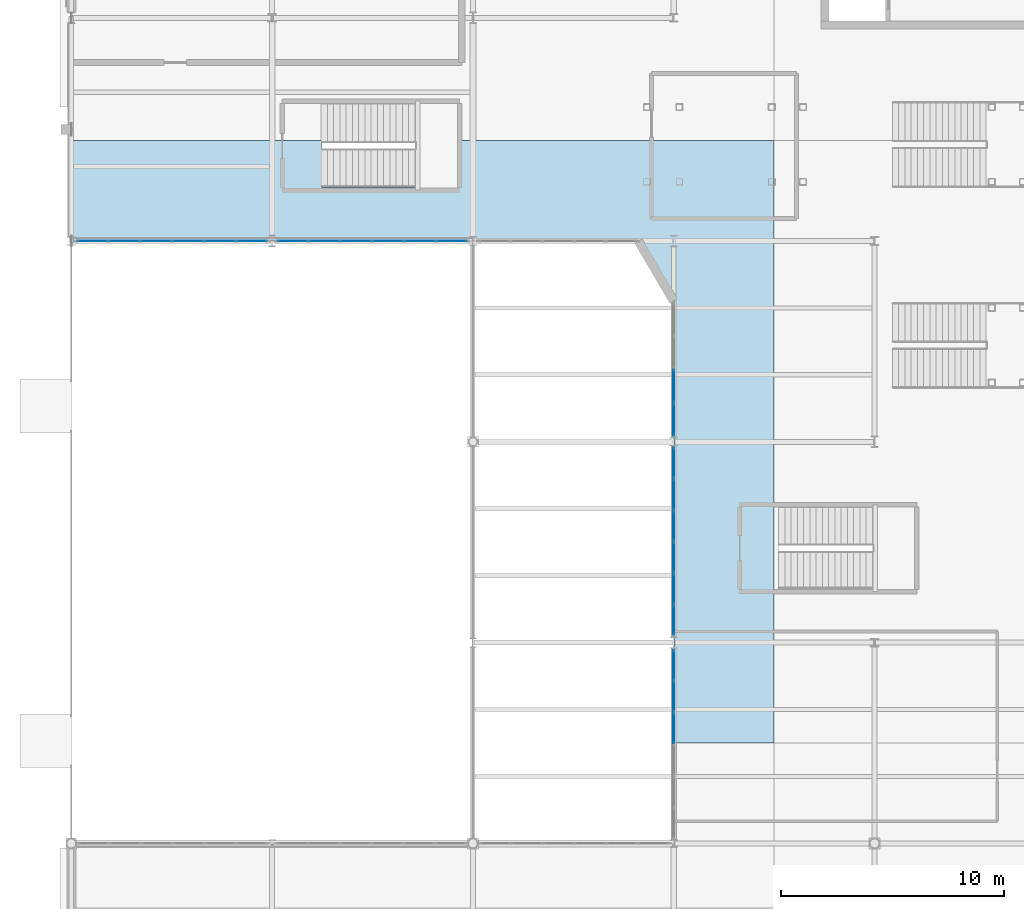
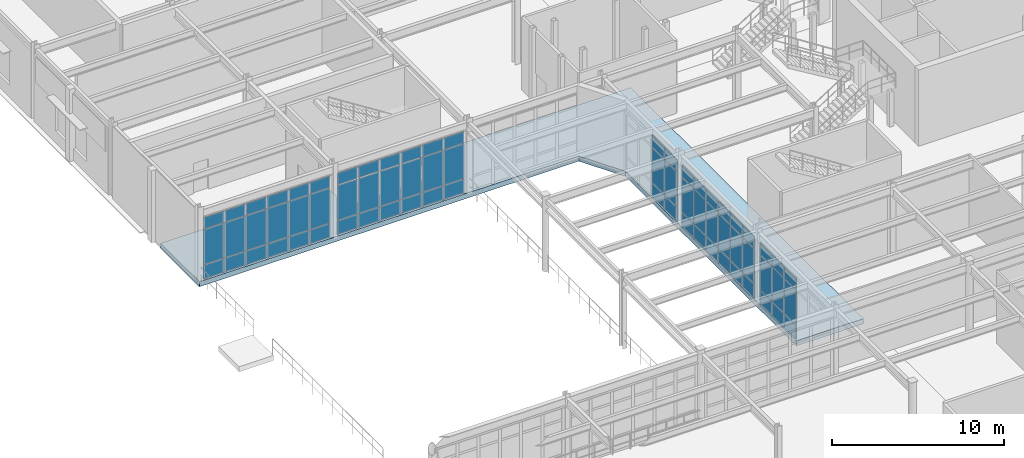
# One storey, part 41 of 79: 69 plates, 1 slab, 5 elements without a shape of their own.
"""IFC4 building model written with IfcOpenShell, lengths in metres."""

from ifc_helpers import new_model, si_unit, direction, frame, origin, origin_2d, place, context, subcontext, project, spatial, polyline, rectangle, outline, extrude, material, layer, layer_set, type_object, element, aggregate, save


model = new_model("IFC4")

# Units and contexts
model_context = context("Model", 3, precision=1e-05, world=origin(), true_north=direction((0.0, 1.0)))
body_context = subcontext(model_context, "Body", "Model", "MODEL_VIEW")
ifc_project = project(units=[si_unit("LENGTHUNIT", "METRE"), si_unit("AREAUNIT", "SQUARE_METRE"), si_unit("VOLUMEUNIT", "CUBIC_METRE"), si_unit("PLANEANGLEUNIT", "RADIAN"), si_unit("MASSUNIT", "GRAM", prefix="KILO")], contexts=[model_context])

# Site, building, storey
site_placement = place(None, origin())
site = spatial("IfcSite", under=ifc_project, at=site_placement, CompositionType="ELEMENT")
building_placement = place(site_placement, origin())
building = spatial("IfcBuilding", under=site, at=building_placement, Name="Glasvene Arena", CompositionType="ELEMENT")
storey_placement = place(building_placement, origin())
storey = spatial("IfcBuildingStorey", under=building, at=storey_placement, Name="L00", CompositionType="ELEMENT", Elevation=0.0)

# Curtain wall, plates
ifc_material_1 = material(Name="Low-emissivity laminated double glazing", Category="glass")
curtain_wall_type_1 = type_object("IfcCurtainWallType", Name="CW-FAC-L00-858x445", PredefinedType="USERDEFINED", material=ifc_material_1)
curtain_wall_1_placement = place(storey_placement, frame((17.771728515625, 54.0, 0.0)))
curtain_wall_1 = element("IfcCurtainWall", 1, at=curtain_wall_1_placement, inside=storey, type_object=curtain_wall_type_1, Name="Unitised curtain wall CW-F-L00-180-135-540-2", ObjectType="CURTAIN WALL", PredefinedType="USERDEFINED")
ifc_layer_1 = layer(ifc_material_1, 0.028076171875)
ifc_layer_set_1 = layer_set([ifc_layer_1], Name="Low-emissivity laminated double glazing")
plate_type = type_object("IfcPlateType", Name="CW-GLZ-28", PredefinedType="CURTAIN_PANEL", material=ifc_layer_set_1)
plate_1_placement = place(storey_placement, frame((17.044189453125, 54.0, 0.10986328125), z_axis=(0.0, 0.0, 1.0), x_axis=(-1.0, 0.0, 0.0)))
plate_1 = element("IfcPlate", 2, at=plate_1_placement, type_object=plate_type, Name="CW-002 panel 1.1", PredefinedType="CURTAIN_PANEL", context=body_context, shape_type="SweptSolid", body=[
    extrude(rectangle(XDim=1.35498046875, YDim=0.028076171875, at=origin_2d()), origin(), (0.0, 0.0, 1.0), 0.965087890625),
])
plate_2_placement = place(storey_placement, frame((17.044189453125, 54.0, 1.125), z_axis=(0.0, 0.0, 1.0), x_axis=(-1.0, 0.0, 0.0)))
plate_2 = element("IfcPlate", 3, at=plate_2_placement, type_object=plate_type, Name="CW-002 panel 1.2", PredefinedType="CURTAIN_PANEL", context=body_context, shape_type="SweptSolid", body=[
    extrude(rectangle(XDim=1.35498046875, YDim=0.028076171875, at=origin_2d()), origin(), (0.0, 0.0, 1.0), 2.45703125),
])
plate_3_placement = place(storey_placement, frame((17.044189453125, 54.0, 3.6318359375), z_axis=(0.0, 0.0, 1.0), x_axis=(-1.0, 0.0, 0.0)))
plate_3 = element("IfcPlate", 4, at=plate_3_placement, type_object=plate_type, Name="CW-002 panel 1.3", PredefinedType="CURTAIN_PANEL", context=body_context, shape_type="SweptSolid", body=[
    extrude(rectangle(XDim=1.35498046875, YDim=0.028076171875, at=origin_2d()), origin(), (0.0, 0.0, 1.0), 0.824951171875),
])
plate_4_placement = place(storey_placement, frame((15.626708984375, 54.0, 0.10986328125), z_axis=(0.0, 0.0, 1.0), x_axis=(-1.0, 0.0, 0.0)))
plate_4 = element("IfcPlate", 5, at=plate_4_placement, type_object=plate_type, Name="CW-002 panel 2.1", PredefinedType="CURTAIN_PANEL", context=body_context, shape_type="SweptSolid", body=[
    extrude(rectangle(XDim=1.3798828125, YDim=0.028076171875, at=origin_2d()), origin(), (0.0, 0.0, 1.0), 0.965087890625),
])
plate_5_placement = place(storey_placement, frame((15.626708984375, 54.0, 1.125), z_axis=(0.0, 0.0, 1.0), x_axis=(-1.0, 0.0, 0.0)))
plate_5 = element("IfcPlate", 6, at=plate_5_placement, type_object=plate_type, Name="CW-002 panel 2.2", PredefinedType="CURTAIN_PANEL", context=body_context, shape_type="SweptSolid", body=[
    extrude(rectangle(XDim=1.3798828125, YDim=0.028076171875, at=origin_2d()), origin(), (0.0, 0.0, 1.0), 2.45703125),
])
plate_6_placement = place(storey_placement, frame((15.626708984375, 54.0, 3.6318359375), z_axis=(0.0, 0.0, 1.0), x_axis=(-1.0, 0.0, 0.0)))
plate_6 = element("IfcPlate", 7, at=plate_6_placement, type_object=plate_type, Name="CW-002 panel 2.3", PredefinedType="CURTAIN_PANEL", context=body_context, shape_type="SweptSolid", body=[
    extrude(rectangle(XDim=1.3798828125, YDim=0.028076171875, at=origin_2d()), origin(), (0.0, 0.0, 1.0), 0.824951171875),
])
plate_7_placement = place(storey_placement, frame((14.19677734375, 54.0, 0.10986328125), z_axis=(0.0, 0.0, 1.0), x_axis=(-1.0, 0.0, 0.0)))
plate_7 = element("IfcPlate", 8, at=plate_7_placement, type_object=plate_type, Name="CW-002 panel 3.1", PredefinedType="CURTAIN_PANEL", context=body_context, shape_type="SweptSolid", body=[
    extrude(rectangle(XDim=1.3798828125, YDim=0.028076171875, at=origin_2d()), origin(), (0.0, 0.0, 1.0), 0.965087890625),
])
plate_8_placement = place(storey_placement, frame((14.19677734375, 54.0, 1.125), z_axis=(0.0, 0.0, 1.0), x_axis=(-1.0, 0.0, 0.0)))
plate_8 = element("IfcPlate", 9, at=plate_8_placement, type_object=plate_type, Name="CW-002 panel 3.2", PredefinedType="CURTAIN_PANEL", context=body_context, shape_type="SweptSolid", body=[
    extrude(rectangle(XDim=1.3798828125, YDim=0.028076171875, at=origin_2d()), origin(), (0.0, 0.0, 1.0), 2.45703125),
])
plate_9_placement = place(storey_placement, frame((14.19677734375, 54.0, 3.6318359375), z_axis=(0.0, 0.0, 1.0), x_axis=(-1.0, 0.0, 0.0)))
plate_9 = element("IfcPlate", 10, at=plate_9_placement, type_object=plate_type, Name="CW-002 panel 3.3", PredefinedType="CURTAIN_PANEL", context=body_context, shape_type="SweptSolid", body=[
    extrude(rectangle(XDim=1.3798828125, YDim=0.028076171875, at=origin_2d()), origin(), (0.0, 0.0, 1.0), 0.824951171875),
])
plate_10_placement = place(storey_placement, frame((12.766845703125, 54.0, 0.10986328125), z_axis=(0.0, 0.0, 1.0), x_axis=(-1.0, 0.0, 0.0)))
plate_10 = element("IfcPlate", 11, at=plate_10_placement, type_object=plate_type, Name="CW-002 panel 4.1", PredefinedType="CURTAIN_PANEL", context=body_context, shape_type="SweptSolid", body=[
    extrude(rectangle(XDim=1.3798828125, YDim=0.028076171875, at=origin_2d()), origin(), (0.0, 0.0, 1.0), 0.965087890625),
])
plate_11_placement = place(storey_placement, frame((12.766845703125, 54.0, 1.125), z_axis=(0.0, 0.0, 1.0), x_axis=(-1.0, 0.0, 0.0)))
plate_11 = element("IfcPlate", 12, at=plate_11_placement, type_object=plate_type, Name="CW-002 panel 4.2", PredefinedType="CURTAIN_PANEL", context=body_context, shape_type="SweptSolid", body=[
    extrude(rectangle(XDim=1.3798828125, YDim=0.028076171875, at=origin_2d()), origin(), (0.0, 0.0, 1.0), 2.45703125),
])
plate_12_placement = place(storey_placement, frame((12.766845703125, 54.0, 3.6318359375), z_axis=(0.0, 0.0, 1.0), x_axis=(-1.0, 0.0, 0.0)))
plate_12 = element("IfcPlate", 13, at=plate_12_placement, type_object=plate_type, Name="CW-002 panel 4.3", PredefinedType="CURTAIN_PANEL", context=body_context, shape_type="SweptSolid", body=[
    extrude(rectangle(XDim=1.3798828125, YDim=0.028076171875, at=origin_2d()), origin(), (0.0, 0.0, 1.0), 0.824951171875),
])
plate_13_placement = place(storey_placement, frame((11.3369140625, 54.0, 0.10986328125), z_axis=(0.0, 0.0, 1.0), x_axis=(-1.0, 0.0, 0.0)))
plate_13 = element("IfcPlate", 14, at=plate_13_placement, type_object=plate_type, Name="CW-002 panel 5.1", PredefinedType="CURTAIN_PANEL", context=body_context, shape_type="SweptSolid", body=[
    extrude(rectangle(XDim=1.3798828125, YDim=0.028076171875, at=origin_2d()), origin(), (0.0, 0.0, 1.0), 0.965087890625),
])
plate_14_placement = place(storey_placement, frame((11.3369140625, 54.0, 1.125), z_axis=(0.0, 0.0, 1.0), x_axis=(-1.0, 0.0, 0.0)))
plate_14 = element("IfcPlate", 15, at=plate_14_placement, type_object=plate_type, Name="CW-002 panel 5.2", PredefinedType="CURTAIN_PANEL", context=body_context, shape_type="SweptSolid", body=[
    extrude(rectangle(XDim=1.3798828125, YDim=0.028076171875, at=origin_2d()), origin(), (0.0, 0.0, 1.0), 2.45703125),
])
plate_15_placement = place(storey_placement, frame((11.3369140625, 54.0, 3.6318359375), z_axis=(0.0, 0.0, 1.0), x_axis=(-1.0, 0.0, 0.0)))
plate_15 = element("IfcPlate", 16, at=plate_15_placement, type_object=plate_type, Name="CW-002 panel 5.3", PredefinedType="CURTAIN_PANEL", context=body_context, shape_type="SweptSolid", body=[
    extrude(rectangle(XDim=1.3798828125, YDim=0.028076171875, at=origin_2d()), origin(), (0.0, 0.0, 1.0), 0.824951171875),
])
plate_16_placement = place(storey_placement, frame((9.91943359375, 54.0, 0.10986328125), z_axis=(0.0, 0.0, 1.0), x_axis=(-1.0, 0.0, 0.0)))
plate_16 = element("IfcPlate", 17, at=plate_16_placement, type_object=plate_type, Name="CW-002 panel 6.1", PredefinedType="CURTAIN_PANEL", context=body_context, shape_type="SweptSolid", body=[
    extrude(rectangle(XDim=1.35498046875, YDim=0.028076171875, at=origin_2d()), origin(), (0.0, 0.0, 1.0), 0.965087890625),
])
plate_17_placement = place(storey_placement, frame((9.91943359375, 54.0, 1.125), z_axis=(0.0, 0.0, 1.0), x_axis=(-1.0, 0.0, 0.0)))
plate_17 = element("IfcPlate", 18, at=plate_17_placement, type_object=plate_type, Name="CW-002 panel 6.2", PredefinedType="CURTAIN_PANEL", context=body_context, shape_type="SweptSolid", body=[
    extrude(rectangle(XDim=1.35498046875, YDim=0.028076171875, at=origin_2d()), origin(), (0.0, 0.0, 1.0), 2.45703125),
])
plate_18_placement = place(storey_placement, frame((9.91943359375, 54.0, 3.6318359375), z_axis=(0.0, 0.0, 1.0), x_axis=(-1.0, 0.0, 0.0)))
plate_18 = element("IfcPlate", 19, at=plate_18_placement, type_object=plate_type, Name="CW-002 panel 6.3", PredefinedType="CURTAIN_PANEL", context=body_context, shape_type="SweptSolid", body=[
    extrude(rectangle(XDim=1.35498046875, YDim=0.028076171875, at=origin_2d()), origin(), (0.0, 0.0, 1.0), 0.824951171875),
])
aggregate(curtain_wall_1, [plate_1, plate_2, plate_3, plate_4, plate_5, plate_6, plate_7, plate_8, plate_9, plate_10, plate_11, plate_12, plate_13, plate_14, plate_15, plate_16, plate_17, plate_18])

curtain_wall_2_placement = place(storey_placement, frame((8.80810546875, 54.0, 0.0)))
curtain_wall_2 = element("IfcCurtainWall", 20, at=curtain_wall_2_placement, inside=storey, type_object=curtain_wall_type_1, Name="Unitised curtain wall CW-F-L00-180-45-540-3", ObjectType="CURTAIN WALL", PredefinedType="USERDEFINED")
plate_19_placement = place(storey_placement, frame((8.08056640625, 54.0, 0.10986328125), z_axis=(0.0, 0.0, 1.0), x_axis=(-1.0, 0.0, 0.0)))
plate_19 = element("IfcPlate", 21, at=plate_19_placement, type_object=plate_type, Name="CW-002 panel 1.1", PredefinedType="CURTAIN_PANEL", context=body_context, shape_type="SweptSolid", body=[
    extrude(rectangle(XDim=1.35498046875, YDim=0.028076171875, at=origin_2d()), origin(), (0.0, 0.0, 1.0), 0.965087890625),
])
plate_20_placement = place(storey_placement, frame((8.08056640625, 54.0, 1.125), z_axis=(0.0, 0.0, 1.0), x_axis=(-1.0, 0.0, 0.0)))
plate_20 = element("IfcPlate", 22, at=plate_20_placement, type_object=plate_type, Name="CW-002 panel 1.2", PredefinedType="CURTAIN_PANEL", context=body_context, shape_type="SweptSolid", body=[
    extrude(rectangle(XDim=1.35498046875, YDim=0.028076171875, at=origin_2d()), origin(), (0.0, 0.0, 1.0), 2.45703125),
])
plate_21_placement = place(storey_placement, frame((8.08056640625, 54.0, 3.6318359375), z_axis=(0.0, 0.0, 1.0), x_axis=(-1.0, 0.0, 0.0)))
plate_21 = element("IfcPlate", 23, at=plate_21_placement, type_object=plate_type, Name="CW-002 panel 1.3", PredefinedType="CURTAIN_PANEL", context=body_context, shape_type="SweptSolid", body=[
    extrude(rectangle(XDim=1.35498046875, YDim=0.028076171875, at=origin_2d()), origin(), (0.0, 0.0, 1.0), 0.824951171875),
])
plate_22_placement = place(storey_placement, frame((6.6630859375, 54.0, 0.10986328125), z_axis=(0.0, 0.0, 1.0), x_axis=(-1.0, 0.0, 0.0)))
plate_22 = element("IfcPlate", 24, at=plate_22_placement, type_object=plate_type, Name="CW-002 panel 2.1", PredefinedType="CURTAIN_PANEL", context=body_context, shape_type="SweptSolid", body=[
    extrude(rectangle(XDim=1.3798828125, YDim=0.028076171875, at=origin_2d()), origin(), (0.0, 0.0, 1.0), 0.965087890625),
])
plate_23_placement = place(storey_placement, frame((6.6630859375, 54.0, 1.125), z_axis=(0.0, 0.0, 1.0), x_axis=(-1.0, 0.0, 0.0)))
plate_23 = element("IfcPlate", 25, at=plate_23_placement, type_object=plate_type, Name="CW-002 panel 2.2", PredefinedType="CURTAIN_PANEL", context=body_context, shape_type="SweptSolid", body=[
    extrude(rectangle(XDim=1.3798828125, YDim=0.028076171875, at=origin_2d()), origin(), (0.0, 0.0, 1.0), 2.45703125),
])
plate_24_placement = place(storey_placement, frame((6.6630859375, 54.0, 3.6318359375), z_axis=(0.0, 0.0, 1.0), x_axis=(-1.0, 0.0, 0.0)))
plate_24 = element("IfcPlate", 26, at=plate_24_placement, type_object=plate_type, Name="CW-002 panel 2.3", PredefinedType="CURTAIN_PANEL", context=body_context, shape_type="SweptSolid", body=[
    extrude(rectangle(XDim=1.3798828125, YDim=0.028076171875, at=origin_2d()), origin(), (0.0, 0.0, 1.0), 0.824951171875),
])
plate_25_placement = place(storey_placement, frame((5.233154296875, 54.0, 0.10986328125), z_axis=(0.0, 0.0, 1.0), x_axis=(-1.0, 0.0, 0.0)))
plate_25 = element("IfcPlate", 27, at=plate_25_placement, type_object=plate_type, Name="CW-002 panel 3.1", PredefinedType="CURTAIN_PANEL", context=body_context, shape_type="SweptSolid", body=[
    extrude(rectangle(XDim=1.3798828125, YDim=0.028076171875, at=origin_2d()), origin(), (0.0, 0.0, 1.0), 0.965087890625),
])
plate_26_placement = place(storey_placement, frame((5.233154296875, 54.0, 1.125), z_axis=(0.0, 0.0, 1.0), x_axis=(-1.0, 0.0, 0.0)))
plate_26 = element("IfcPlate", 28, at=plate_26_placement, type_object=plate_type, Name="CW-002 panel 3.2", PredefinedType="CURTAIN_PANEL", context=body_context, shape_type="SweptSolid", body=[
    extrude(rectangle(XDim=1.3798828125, YDim=0.028076171875, at=origin_2d()), origin(), (0.0, 0.0, 1.0), 2.45703125),
])
plate_27_placement = place(storey_placement, frame((5.233154296875, 54.0, 3.6318359375), z_axis=(0.0, 0.0, 1.0), x_axis=(-1.0, 0.0, 0.0)))
plate_27 = element("IfcPlate", 29, at=plate_27_placement, type_object=plate_type, Name="CW-002 panel 3.3", PredefinedType="CURTAIN_PANEL", context=body_context, shape_type="SweptSolid", body=[
    extrude(rectangle(XDim=1.3798828125, YDim=0.028076171875, at=origin_2d()), origin(), (0.0, 0.0, 1.0), 0.824951171875),
])
plate_28_placement = place(storey_placement, frame((3.80322265625, 54.0, 0.10986328125), z_axis=(0.0, 0.0, 1.0), x_axis=(-1.0, 0.0, 0.0)))
plate_28 = element("IfcPlate", 30, at=plate_28_placement, type_object=plate_type, Name="CW-002 panel 4.1", PredefinedType="CURTAIN_PANEL", context=body_context, shape_type="SweptSolid", body=[
    extrude(rectangle(XDim=1.3798828125, YDim=0.028076171875, at=origin_2d()), origin(), (0.0, 0.0, 1.0), 0.965087890625),
])
plate_29_placement = place(storey_placement, frame((3.80322265625, 54.0, 1.125), z_axis=(0.0, 0.0, 1.0), x_axis=(-1.0, 0.0, 0.0)))
plate_29 = element("IfcPlate", 31, at=plate_29_placement, type_object=plate_type, Name="CW-002 panel 4.2", PredefinedType="CURTAIN_PANEL", context=body_context, shape_type="SweptSolid", body=[
    extrude(rectangle(XDim=1.3798828125, YDim=0.028076171875, at=origin_2d()), origin(), (0.0, 0.0, 1.0), 2.45703125),
])
plate_30_placement = place(storey_placement, frame((3.80322265625, 54.0, 3.6318359375), z_axis=(0.0, 0.0, 1.0), x_axis=(-1.0, 0.0, 0.0)))
plate_30 = element("IfcPlate", 32, at=plate_30_placement, type_object=plate_type, Name="CW-002 panel 4.3", PredefinedType="CURTAIN_PANEL", context=body_context, shape_type="SweptSolid", body=[
    extrude(rectangle(XDim=1.3798828125, YDim=0.028076171875, at=origin_2d()), origin(), (0.0, 0.0, 1.0), 0.824951171875),
])
plate_31_placement = place(storey_placement, frame((2.373291015625, 54.0, 0.10986328125), z_axis=(0.0, 0.0, 1.0), x_axis=(-1.0, 0.0, 0.0)))
plate_31 = element("IfcPlate", 33, at=plate_31_placement, type_object=plate_type, Name="CW-002 panel 5.1", PredefinedType="CURTAIN_PANEL", context=body_context, shape_type="SweptSolid", body=[
    extrude(rectangle(XDim=1.3798828125, YDim=0.028076171875, at=origin_2d()), origin(), (0.0, 0.0, 1.0), 0.965087890625),
])
plate_32_placement = place(storey_placement, frame((2.373291015625, 54.0, 1.125), z_axis=(0.0, 0.0, 1.0), x_axis=(-1.0, 0.0, 0.0)))
plate_32 = element("IfcPlate", 34, at=plate_32_placement, type_object=plate_type, Name="CW-002 panel 5.2", PredefinedType="CURTAIN_PANEL", context=body_context, shape_type="SweptSolid", body=[
    extrude(rectangle(XDim=1.3798828125, YDim=0.028076171875, at=origin_2d()), origin(), (0.0, 0.0, 1.0), 2.45703125),
])
plate_33_placement = place(storey_placement, frame((2.373291015625, 54.0, 3.6318359375), z_axis=(0.0, 0.0, 1.0), x_axis=(-1.0, 0.0, 0.0)))
plate_33 = element("IfcPlate", 35, at=plate_33_placement, type_object=plate_type, Name="CW-002 panel 5.3", PredefinedType="CURTAIN_PANEL", context=body_context, shape_type="SweptSolid", body=[
    extrude(rectangle(XDim=1.3798828125, YDim=0.028076171875, at=origin_2d()), origin(), (0.0, 0.0, 1.0), 0.824951171875),
])
plate_34_placement = place(storey_placement, frame((0.955810546875, 54.0, 0.10986328125), z_axis=(0.0, 0.0, 1.0), x_axis=(-1.0, 0.0, 0.0)))
plate_34 = element("IfcPlate", 36, at=plate_34_placement, type_object=plate_type, Name="CW-002 panel 6.1", PredefinedType="CURTAIN_PANEL", context=body_context, shape_type="SweptSolid", body=[
    extrude(rectangle(XDim=1.35498046875, YDim=0.028076171875, at=origin_2d()), origin(), (0.0, 0.0, 1.0), 0.965087890625),
])
plate_35_placement = place(storey_placement, frame((0.955810546875, 54.0, 1.125), z_axis=(0.0, 0.0, 1.0), x_axis=(-1.0, 0.0, 0.0)))
plate_35 = element("IfcPlate", 37, at=plate_35_placement, type_object=plate_type, Name="CW-002 panel 6.2", PredefinedType="CURTAIN_PANEL", context=body_context, shape_type="SweptSolid", body=[
    extrude(rectangle(XDim=1.35498046875, YDim=0.028076171875, at=origin_2d()), origin(), (0.0, 0.0, 1.0), 2.45703125),
])
plate_36_placement = place(storey_placement, frame((0.955810546875, 54.0, 3.6318359375), z_axis=(0.0, 0.0, 1.0), x_axis=(-1.0, 0.0, 0.0)))
plate_36 = element("IfcPlate", 38, at=plate_36_placement, type_object=plate_type, Name="CW-002 panel 6.3", PredefinedType="CURTAIN_PANEL", context=body_context, shape_type="SweptSolid", body=[
    extrude(rectangle(XDim=1.35498046875, YDim=0.028076171875, at=origin_2d()), origin(), (0.0, 0.0, 1.0), 0.824951171875),
])
aggregate(curtain_wall_2, [plate_19, plate_20, plate_21, plate_22, plate_23, plate_24, plate_25, plate_26, plate_27, plate_28, plate_29, plate_30, plate_31, plate_32, plate_33, plate_34, plate_35, plate_36])

curtain_wall_type_2 = type_object("IfcCurtainWallType", Name="CW-FAC-L00-851x445", PredefinedType="USERDEFINED", material=ifc_material_1)
curtain_wall_3_placement = place(storey_placement, frame((27.0, 27.202392578125, 0.0)))
curtain_wall_3 = element("IfcCurtainWall", 39, at=curtain_wall_3_placement, inside=storey, type_object=curtain_wall_type_2, Name="Unitised curtain wall CW-F-L00-180-270-315-81", ObjectType="CURTAIN WALL", PredefinedType="USERDEFINED")
plate_37_placement = place(storey_placement, frame((27.0, 32.1640625, 0.10986328125), z_axis=(0.0, 0.0, 1.0), x_axis=(0.0, 1.0, 0.0)))
plate_37 = element("IfcPlate", 40, at=plate_37_placement, type_object=plate_type, Name="CW-004 panel 4.1", PredefinedType="CURTAIN_PANEL", context=body_context, shape_type="SweptSolid", body=[
    extrude(rectangle(XDim=1.36767578125, YDim=0.028076171875, at=origin_2d()), origin(), (0.0, 0.0, 1.0), 0.965087890625),
])
plate_38_placement = place(storey_placement, frame((27.0, 32.1640625, 1.125), z_axis=(0.0, 0.0, 1.0), x_axis=(0.0, 1.0, 0.0)))
plate_38 = element("IfcPlate", 41, at=plate_38_placement, type_object=plate_type, Name="CW-004 panel 4.2", PredefinedType="CURTAIN_PANEL", context=body_context, shape_type="SweptSolid", body=[
    extrude(rectangle(XDim=1.36767578125, YDim=0.028076171875, at=origin_2d()), origin(), (0.0, 0.0, 1.0), 2.45703125),
])
plate_39_placement = place(storey_placement, frame((27.0, 32.1640625, 3.6318359375), z_axis=(0.0, 0.0, 1.0), x_axis=(0.0, 1.0, 0.0)))
plate_39 = element("IfcPlate", 42, at=plate_39_placement, type_object=plate_type, Name="CW-004 panel 4.3", PredefinedType="CURTAIN_PANEL", context=body_context, shape_type="SweptSolid", body=[
    extrude(rectangle(XDim=1.36767578125, YDim=0.028076171875, at=origin_2d()), origin(), (0.0, 0.0, 1.0), 0.824951171875),
])
plate_40_placement = place(storey_placement, frame((27.0, 33.58154296875, 0.10986328125), z_axis=(0.0, 0.0, 1.0), x_axis=(0.0, 1.0, 0.0)))
plate_40 = element("IfcPlate", 43, at=plate_40_placement, type_object=plate_type, Name="CW-004 panel 5.1", PredefinedType="CURTAIN_PANEL", context=body_context, shape_type="SweptSolid", body=[
    extrude(rectangle(XDim=1.36767578125, YDim=0.028076171875, at=origin_2d()), origin(), (0.0, 0.0, 1.0), 0.965087890625),
])
plate_41_placement = place(storey_placement, frame((27.0, 33.58154296875, 1.125), z_axis=(0.0, 0.0, 1.0), x_axis=(0.0, 1.0, 0.0)))
plate_41 = element("IfcPlate", 44, at=plate_41_placement, type_object=plate_type, Name="CW-004 panel 5.2", PredefinedType="CURTAIN_PANEL", context=body_context, shape_type="SweptSolid", body=[
    extrude(rectangle(XDim=1.36767578125, YDim=0.028076171875, at=origin_2d()), origin(), (0.0, 0.0, 1.0), 2.45703125),
])
plate_42_placement = place(storey_placement, frame((27.0, 33.58154296875, 3.6318359375), z_axis=(0.0, 0.0, 1.0), x_axis=(0.0, 1.0, 0.0)))
plate_42 = element("IfcPlate", 45, at=plate_42_placement, type_object=plate_type, Name="CW-004 panel 5.3", PredefinedType="CURTAIN_PANEL", context=body_context, shape_type="SweptSolid", body=[
    extrude(rectangle(XDim=1.36767578125, YDim=0.028076171875, at=origin_2d()), origin(), (0.0, 0.0, 1.0), 0.824951171875),
])
plate_43_placement = place(storey_placement, frame((27.0, 34.986572265625, 0.10986328125), z_axis=(0.0, 0.0, 1.0), x_axis=(0.0, 1.0, 0.0)))
plate_43 = element("IfcPlate", 46, at=plate_43_placement, type_object=plate_type, Name="CW-004 panel 6.1", PredefinedType="CURTAIN_PANEL", context=body_context, shape_type="SweptSolid", body=[
    extrude(rectangle(XDim=1.342529296875, YDim=0.028076171875, at=origin_2d()), origin(), (0.0, 0.0, 1.0), 0.965087890625),
])
plate_44_placement = place(storey_placement, frame((27.0, 34.986572265625, 1.125), z_axis=(0.0, 0.0, 1.0), x_axis=(0.0, 1.0, 0.0)))
plate_44 = element("IfcPlate", 47, at=plate_44_placement, type_object=plate_type, Name="CW-004 panel 6.2", PredefinedType="CURTAIN_PANEL", context=body_context, shape_type="SweptSolid", body=[
    extrude(rectangle(XDim=1.342529296875, YDim=0.028076171875, at=origin_2d()), origin(), (0.0, 0.0, 1.0), 2.45703125),
])
plate_45_placement = place(storey_placement, frame((27.0, 34.986572265625, 3.6318359375), z_axis=(0.0, 0.0, 1.0), x_axis=(0.0, 1.0, 0.0)))
plate_45 = element("IfcPlate", 48, at=plate_45_placement, type_object=plate_type, Name="CW-004 panel 6.3", PredefinedType="CURTAIN_PANEL", context=body_context, shape_type="SweptSolid", body=[
    extrude(rectangle(XDim=1.342529296875, YDim=0.028076171875, at=origin_2d()), origin(), (0.0, 0.0, 1.0), 0.824951171875),
])
aggregate(curtain_wall_3, [plate_37, plate_38, plate_39, plate_40, plate_41, plate_42, plate_43, plate_44, plate_45])

curtain_wall_type_3 = type_object("IfcCurtainWallType", Name="CW-FAC-L00-848x445", PredefinedType="USERDEFINED", material=ifc_material_1)
curtain_wall_4_placement = place(storey_placement, frame((27.0, 36.2919921875, 0.0)))
curtain_wall_4 = element("IfcCurtainWall", 49, at=curtain_wall_4_placement, inside=storey, type_object=curtain_wall_type_3, Name="Unitised curtain wall CW-F-L00-180-270-405-82", ObjectType="CURTAIN WALL", PredefinedType="USERDEFINED")
plate_46_placement = place(storey_placement, frame((27.0, 37.01123046875, 0.10986328125), z_axis=(0.0, 0.0, 1.0), x_axis=(0.0, 1.0, 0.0)))
plate_46 = element("IfcPlate", 50, at=plate_46_placement, type_object=plate_type, Name="CW-005 panel 1.1", PredefinedType="CURTAIN_PANEL", context=body_context, shape_type="SweptSolid", body=[
    extrude(rectangle(XDim=1.338623046875, YDim=0.028076171875, at=origin_2d()), origin(), (0.0, 0.0, 1.0), 0.965087890625),
])
plate_47_placement = place(storey_placement, frame((27.0, 37.01123046875, 1.125), z_axis=(0.0, 0.0, 1.0), x_axis=(0.0, 1.0, 0.0)))
plate_47 = element("IfcPlate", 51, at=plate_47_placement, type_object=plate_type, Name="CW-005 panel 1.2", PredefinedType="CURTAIN_PANEL", context=body_context, shape_type="SweptSolid", body=[
    extrude(rectangle(XDim=1.338623046875, YDim=0.028076171875, at=origin_2d()), origin(), (0.0, 0.0, 1.0), 2.45703125),
])
plate_48_placement = place(storey_placement, frame((27.0, 37.01123046875, 3.6318359375), z_axis=(0.0, 0.0, 1.0), x_axis=(0.0, 1.0, 0.0)))
plate_48 = element("IfcPlate", 52, at=plate_48_placement, type_object=plate_type, Name="CW-005 panel 1.3", PredefinedType="CURTAIN_PANEL", context=body_context, shape_type="SweptSolid", body=[
    extrude(rectangle(XDim=1.338623046875, YDim=0.028076171875, at=origin_2d()), origin(), (0.0, 0.0, 1.0), 0.824951171875),
])
plate_49_placement = place(storey_placement, frame((27.0, 38.412353515625, 0.10986328125), z_axis=(0.0, 0.0, 1.0), x_axis=(0.0, 1.0, 0.0)))
plate_49 = element("IfcPlate", 53, at=plate_49_placement, type_object=plate_type, Name="CW-005 panel 2.1", PredefinedType="CURTAIN_PANEL", context=body_context, shape_type="SweptSolid", body=[
    extrude(rectangle(XDim=1.36376953125, YDim=0.028076171875, at=origin_2d()), origin(), (0.0, 0.0, 1.0), 0.965087890625),
])
plate_50_placement = place(storey_placement, frame((27.0, 38.412353515625, 1.125), z_axis=(0.0, 0.0, 1.0), x_axis=(0.0, 1.0, 0.0)))
plate_50 = element("IfcPlate", 54, at=plate_50_placement, type_object=plate_type, Name="CW-005 panel 2.2", PredefinedType="CURTAIN_PANEL", context=body_context, shape_type="SweptSolid", body=[
    extrude(rectangle(XDim=1.36376953125, YDim=0.028076171875, at=origin_2d()), origin(), (0.0, 0.0, 1.0), 2.45703125),
])
plate_51_placement = place(storey_placement, frame((27.0, 38.412353515625, 3.6318359375), z_axis=(0.0, 0.0, 1.0), x_axis=(0.0, 1.0, 0.0)))
plate_51 = element("IfcPlate", 55, at=plate_51_placement, type_object=plate_type, Name="CW-005 panel 2.3", PredefinedType="CURTAIN_PANEL", context=body_context, shape_type="SweptSolid", body=[
    extrude(rectangle(XDim=1.36376953125, YDim=0.028076171875, at=origin_2d()), origin(), (0.0, 0.0, 1.0), 0.824951171875),
])
plate_52_placement = place(storey_placement, frame((27.0, 39.826171875, 0.10986328125), z_axis=(0.0, 0.0, 1.0), x_axis=(0.0, 1.0, 0.0)))
plate_52 = element("IfcPlate", 56, at=plate_52_placement, type_object=plate_type, Name="CW-005 panel 3.1", PredefinedType="CURTAIN_PANEL", context=body_context, shape_type="SweptSolid", body=[
    extrude(rectangle(XDim=1.36376953125, YDim=0.028076171875, at=origin_2d()), origin(), (0.0, 0.0, 1.0), 0.965087890625),
])
plate_53_placement = place(storey_placement, frame((27.0, 39.826171875, 1.125), z_axis=(0.0, 0.0, 1.0), x_axis=(0.0, 1.0, 0.0)))
plate_53 = element("IfcPlate", 57, at=plate_53_placement, type_object=plate_type, Name="CW-005 panel 3.2", PredefinedType="CURTAIN_PANEL", context=body_context, shape_type="SweptSolid", body=[
    extrude(rectangle(XDim=1.36376953125, YDim=0.028076171875, at=origin_2d()), origin(), (0.0, 0.0, 1.0), 2.45703125),
])
plate_54_placement = place(storey_placement, frame((27.0, 39.826171875, 3.6318359375), z_axis=(0.0, 0.0, 1.0), x_axis=(0.0, 1.0, 0.0)))
plate_54 = element("IfcPlate", 58, at=plate_54_placement, type_object=plate_type, Name="CW-005 panel 3.3", PredefinedType="CURTAIN_PANEL", context=body_context, shape_type="SweptSolid", body=[
    extrude(rectangle(XDim=1.36376953125, YDim=0.028076171875, at=origin_2d()), origin(), (0.0, 0.0, 1.0), 0.824951171875),
])
plate_55_placement = place(storey_placement, frame((27.0, 41.23974609375, 0.10986328125), z_axis=(0.0, 0.0, 1.0), x_axis=(0.0, 1.0, 0.0)))
plate_55 = element("IfcPlate", 59, at=plate_55_placement, type_object=plate_type, Name="CW-005 panel 4.1", PredefinedType="CURTAIN_PANEL", context=body_context, shape_type="SweptSolid", body=[
    extrude(rectangle(XDim=1.36376953125, YDim=0.028076171875, at=origin_2d()), origin(), (0.0, 0.0, 1.0), 0.965087890625),
])
plate_56_placement = place(storey_placement, frame((27.0, 41.23974609375, 1.125), z_axis=(0.0, 0.0, 1.0), x_axis=(0.0, 1.0, 0.0)))
plate_56 = element("IfcPlate", 60, at=plate_56_placement, type_object=plate_type, Name="CW-005 panel 4.2", PredefinedType="CURTAIN_PANEL", context=body_context, shape_type="SweptSolid", body=[
    extrude(rectangle(XDim=1.36376953125, YDim=0.028076171875, at=origin_2d()), origin(), (0.0, 0.0, 1.0), 2.45703125),
])
plate_57_placement = place(storey_placement, frame((27.0, 41.23974609375, 3.6318359375), z_axis=(0.0, 0.0, 1.0), x_axis=(0.0, 1.0, 0.0)))
plate_57 = element("IfcPlate", 61, at=plate_57_placement, type_object=plate_type, Name="CW-005 panel 4.3", PredefinedType="CURTAIN_PANEL", context=body_context, shape_type="SweptSolid", body=[
    extrude(rectangle(XDim=1.36376953125, YDim=0.028076171875, at=origin_2d()), origin(), (0.0, 0.0, 1.0), 0.824951171875),
])
plate_58_placement = place(storey_placement, frame((27.0, 42.6533203125, 0.10986328125), z_axis=(0.0, 0.0, 1.0), x_axis=(0.0, 1.0, 0.0)))
plate_58 = element("IfcPlate", 62, at=plate_58_placement, type_object=plate_type, Name="CW-005 panel 5.1", PredefinedType="CURTAIN_PANEL", context=body_context, shape_type="SweptSolid", body=[
    extrude(rectangle(XDim=1.36376953125, YDim=0.028076171875, at=origin_2d()), origin(), (0.0, 0.0, 1.0), 0.965087890625),
])
plate_59_placement = place(storey_placement, frame((27.0, 42.6533203125, 1.125), z_axis=(0.0, 0.0, 1.0), x_axis=(0.0, 1.0, 0.0)))
plate_59 = element("IfcPlate", 63, at=plate_59_placement, type_object=plate_type, Name="CW-005 panel 5.2", PredefinedType="CURTAIN_PANEL", context=body_context, shape_type="SweptSolid", body=[
    extrude(rectangle(XDim=1.36376953125, YDim=0.028076171875, at=origin_2d()), origin(), (0.0, 0.0, 1.0), 2.45703125),
])
plate_60_placement = place(storey_placement, frame((27.0, 42.6533203125, 3.6318359375), z_axis=(0.0, 0.0, 1.0), x_axis=(0.0, 1.0, 0.0)))
plate_60 = element("IfcPlate", 64, at=plate_60_placement, type_object=plate_type, Name="CW-005 panel 5.3", PredefinedType="CURTAIN_PANEL", context=body_context, shape_type="SweptSolid", body=[
    extrude(rectangle(XDim=1.36376953125, YDim=0.028076171875, at=origin_2d()), origin(), (0.0, 0.0, 1.0), 0.824951171875),
])
plate_61_placement = place(storey_placement, frame((27.0, 44.0546875, 0.10986328125), z_axis=(0.0, 0.0, 1.0), x_axis=(0.0, 1.0, 0.0)))
plate_61 = element("IfcPlate", 65, at=plate_61_placement, type_object=plate_type, Name="CW-005 panel 6.1", PredefinedType="CURTAIN_PANEL", context=body_context, shape_type="SweptSolid", body=[
    extrude(rectangle(XDim=1.338623046875, YDim=0.028076171875, at=origin_2d()), origin(), (0.0, 0.0, 1.0), 0.965087890625),
])
plate_62_placement = place(storey_placement, frame((27.0, 44.0546875, 1.125), z_axis=(0.0, 0.0, 1.0), x_axis=(0.0, 1.0, 0.0)))
plate_62 = element("IfcPlate", 66, at=plate_62_placement, type_object=plate_type, Name="CW-005 panel 6.2", PredefinedType="CURTAIN_PANEL", context=body_context, shape_type="SweptSolid", body=[
    extrude(rectangle(XDim=1.338623046875, YDim=0.028076171875, at=origin_2d()), origin(), (0.0, 0.0, 1.0), 2.45703125),
])
plate_63_placement = place(storey_placement, frame((27.0, 44.0546875, 3.6318359375), z_axis=(0.0, 0.0, 1.0), x_axis=(0.0, 1.0, 0.0)))
plate_63 = element("IfcPlate", 67, at=plate_63_placement, type_object=plate_type, Name="CW-005 panel 6.3", PredefinedType="CURTAIN_PANEL", context=body_context, shape_type="SweptSolid", body=[
    extrude(rectangle(XDim=1.338623046875, YDim=0.028076171875, at=origin_2d()), origin(), (0.0, 0.0, 1.0), 0.824951171875),
])
aggregate(curtain_wall_4, [plate_46, plate_47, plate_48, plate_49, plate_50, plate_51, plate_52, plate_53, plate_54, plate_55, plate_56, plate_57, plate_58, plate_59, plate_60, plate_61, plate_62, plate_63])

curtain_wall_type_4 = type_object("IfcCurtainWallType", Name="CW-FAC-L00-603x445", PredefinedType="USERDEFINED", material=ifc_material_1)
curtain_wall_5_placement = place(storey_placement, frame((27.0, 45.22607421875, 0.0)))
curtain_wall_5 = element("IfcCurtainWall", 68, at=curtain_wall_5_placement, inside=storey, type_object=curtain_wall_type_4, Name="Unitised curtain wall CW-F-L00-180-270-482-83", ObjectType="CURTAIN WALL", PredefinedType="USERDEFINED")
plate_64_placement = place(storey_placement, frame((27.0, 45.992919921875, 0.10986328125), z_axis=(0.0, 0.0, 1.0), x_axis=(0.0, 1.0, 0.0)))
plate_64 = element("IfcPlate", 69, at=plate_64_placement, type_object=plate_type, Name="CW-006 panel 1.1", PredefinedType="CURTAIN_PANEL", context=body_context, shape_type="SweptSolid", body=[
    extrude(rectangle(XDim=1.433349609375, YDim=0.028076171875, at=origin_2d()), origin(), (0.0, 0.0, 1.0), 0.965087890625),
])
plate_65_placement = place(storey_placement, frame((27.0, 45.992919921875, 1.125), z_axis=(0.0, 0.0, 1.0), x_axis=(0.0, 1.0, 0.0)))
plate_65 = element("IfcPlate", 70, at=plate_65_placement, type_object=plate_type, Name="CW-006 panel 1.2", PredefinedType="CURTAIN_PANEL", context=body_context, shape_type="SweptSolid", body=[
    extrude(rectangle(XDim=1.433349609375, YDim=0.028076171875, at=origin_2d()), origin(), (0.0, 0.0, 1.0), 2.45703125),
])
plate_66_placement = place(storey_placement, frame((27.0, 45.992919921875, 3.6318359375), z_axis=(0.0, 0.0, 1.0), x_axis=(0.0, 1.0, 0.0)))
plate_66 = element("IfcPlate", 71, at=plate_66_placement, type_object=plate_type, Name="CW-006 panel 1.3", PredefinedType="CURTAIN_PANEL", context=body_context, shape_type="SweptSolid", body=[
    extrude(rectangle(XDim=1.433349609375, YDim=0.028076171875, at=origin_2d()), origin(), (0.0, 0.0, 1.0), 0.824951171875),
])
plate_67_placement = place(storey_placement, frame((27.0, 47.48876953125, 0.10986328125), z_axis=(0.0, 0.0, 1.0), x_axis=(0.0, 1.0, 0.0)))
plate_67 = element("IfcPlate", 72, at=plate_67_placement, type_object=plate_type, Name="CW-006 panel 2.1", PredefinedType="CURTAIN_PANEL", context=body_context, shape_type="SweptSolid", body=[
    extrude(rectangle(XDim=1.45849609375, YDim=0.028076171875, at=origin_2d()), origin(), (0.0, 0.0, 1.0), 0.965087890625),
])
plate_68_placement = place(storey_placement, frame((27.0, 47.48876953125, 1.125), z_axis=(0.0, 0.0, 1.0), x_axis=(0.0, 1.0, 0.0)))
plate_68 = element("IfcPlate", 73, at=plate_68_placement, type_object=plate_type, Name="CW-006 panel 2.2", PredefinedType="CURTAIN_PANEL", context=body_context, shape_type="SweptSolid", body=[
    extrude(rectangle(XDim=1.45849609375, YDim=0.028076171875, at=origin_2d()), origin(), (0.0, 0.0, 1.0), 2.45703125),
])
plate_69_placement = place(storey_placement, frame((27.0, 47.48876953125, 3.6318359375), z_axis=(0.0, 0.0, 1.0), x_axis=(0.0, 1.0, 0.0)))
plate_69 = element("IfcPlate", 74, at=plate_69_placement, type_object=plate_type, Name="CW-006 panel 2.3", PredefinedType="CURTAIN_PANEL", context=body_context, shape_type="SweptSolid", body=[
    extrude(rectangle(XDim=1.45849609375, YDim=0.028076171875, at=origin_2d()), origin(), (0.0, 0.0, 1.0), 0.824951171875),
])
aggregate(curtain_wall_5, [plate_64, plate_65, plate_66, plate_67, plate_68, plate_69])

# Slab
ifc_material_2 = material(Name="Concrete C40/50", Category="concrete")
ifc_layer_2 = layer(ifc_material_2, 0.360107421875)
ifc_layer_set_2 = layer_set([ifc_layer_2], Name="Concrete C40/50")
slab_type = type_object("IfcSlabType", Name="SL-L00-360", PredefinedType="FLOOR", material=ifc_layer_set_2)
slab_placement = place(storey_placement, frame((18.12939453125, 51.736328125, -0.360107421875)))
element("IfcSlab", 75, at=slab_placement, inside=storey, type_object=slab_type, Name="Structural floor slab L00 sector 2-1 (21)", PredefinedType="FLOOR", context=body_context, shape_type="SweptSolid", body=[
    extrude(outline(polyline([(-18.12939453125, 6.763671875), (-6.927490234375, 6.763671875), (-6.927490234375, 4.66357421875), (-0.829345703125, 4.66357421875), (-0.829345703125, 6.763671875), (13.37060546875, 6.763671875), (13.37060546875, -20.236328125), (8.87060546875, -20.236328125), (8.87060546875, -0.4365234375), (7.290283203125, 2.263671875), (-18.12939453125, 2.263671875), (-18.12939453125, 6.763671875)])), origin(), (0.0, 0.0, 1.0), 0.360107421875),
])

save(model, "model.ifc")
